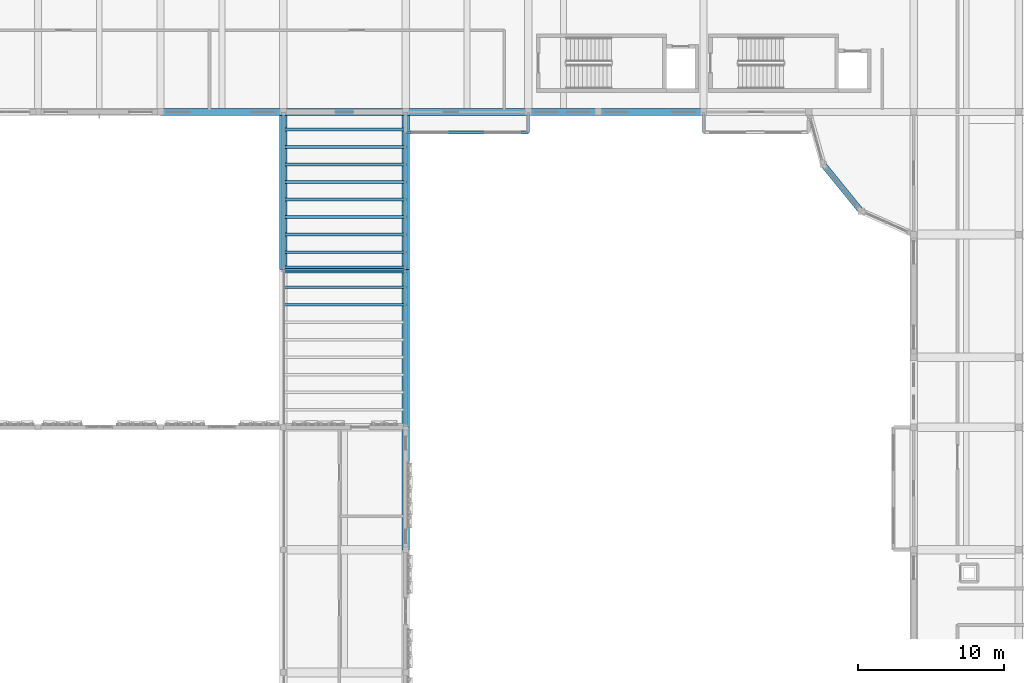
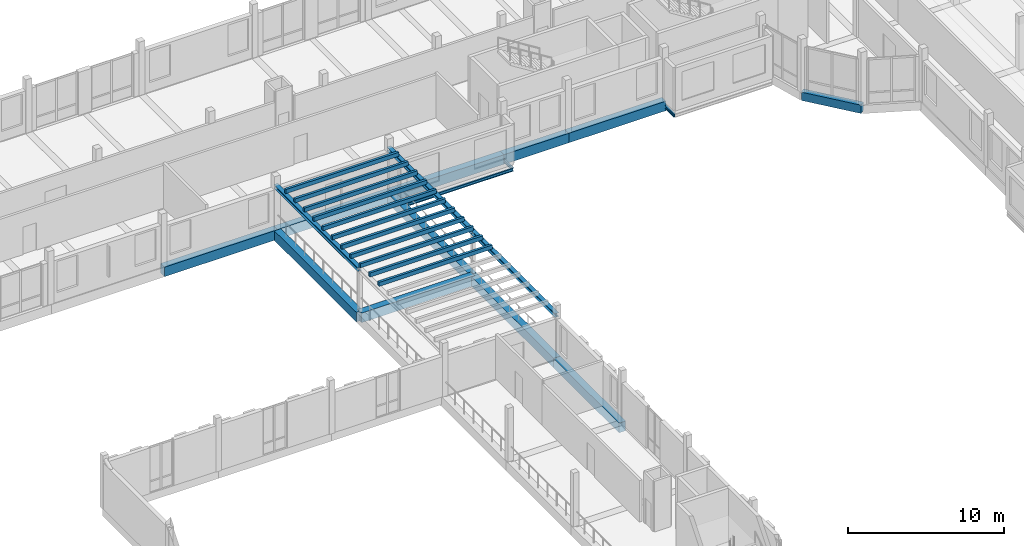
# One storey, part 33 of 99: 17 beams, 11 members.
"""IFC4 building model written with IfcOpenShell, lengths in metres."""

from ifc_helpers import new_model, si_unit, direction, frame, origin, origin_2d, place, context, subcontext, project, spatial, rectangle, i_section, extrude, material, material_profile, profile_set, type_object, element, save


model = new_model("IFC4")

# Units and contexts
model_context = context("Model", 3, precision=1e-05, world=origin(), true_north=direction((0.0, 1.0)))
body_context = subcontext(model_context, "Body", "Model", "MODEL_VIEW")
ifc_project = project(units=[si_unit("LENGTHUNIT", "METRE"), si_unit("AREAUNIT", "SQUARE_METRE"), si_unit("VOLUMEUNIT", "CUBIC_METRE"), si_unit("PLANEANGLEUNIT", "RADIAN"), si_unit("MASSUNIT", "GRAM", prefix="KILO")], contexts=[model_context])

# Site, building, storey
site_placement = place(None, origin())
site = spatial("IfcSite", under=ifc_project, at=site_placement, CompositionType="ELEMENT")
building_placement = place(site_placement, origin())
building = spatial("IfcBuilding", under=site, at=building_placement, Name="Kahlenmark Community Centre", CompositionType="ELEMENT")
storey_placement = place(building_placement, frame((0.0, 0.0, 5.39990234375)))
storey = spatial("IfcBuildingStorey", under=building, at=storey_placement, Name="L01", CompositionType="ELEMENT", Elevation=5.39990234375)

# Beams
ifc_material_1 = material(Name="Steel S355", Category="steel")
ifc_material_profile_1 = material_profile(ifc_material_1, i_section(OverallWidth=0.1201171875, OverallDepth=0.239990234375, WebThickness=0.006103515625, FlangeThickness=0.009765625, at=origin_2d()), Name="IPE 240")
ifc_profile_set_1 = profile_set([ifc_material_profile_1], Name="Steel S355")
beam_type_1 = type_object("IfcBeamType", Name="BT-BEAM-IPE240", PredefinedType="BEAM", material=ifc_profile_set_1)
for number, where, z_axis, x_axis, name in (
    (1, (46.0, 96.199951171875, -0.43994140625), (0.0, 1.0, 0.0), (-1.0, 0.0, 0.0), "L01 beam BG-IPE240"),
    (2, (58.0, 96.199951171875, -0.43994140625), (0.0, 1.0, 0.0), (-1.0, 0.0, 0.0), "L01 beam BG-IPE240"),
):
    element("IfcBeam", number, at=place(storey_placement, frame(where, z_axis=z_axis, x_axis=x_axis)), inside=storey, type_object=beam_type_1, Name=name, PredefinedType="BEAM", context=body_context, shape_type="SweptSolid", body=[
        extrude(i_section(OverallWidth=0.1201171875, OverallDepth=0.239990234375, WebThickness=0.006103515625, FlangeThickness=0.009765625, at=origin_2d()), origin(), (0.0, 0.0, 1.0), 1.400146484375),
    ])
ifc_material_profile_2 = material_profile(ifc_material_1, i_section(OverallWidth=0.300048828125, OverallDepth=0.2900390625, WebThickness=0.008544921875, FlangeThickness=0.013916015625, at=origin_2d()), Name="HEA 300")
ifc_profile_set_2 = profile_set([ifc_material_profile_2], Name="Steel S355")
beam_type_2 = type_object("IfcBeamType", Name="BT-SPANDREL-HEA300", PredefinedType="SPANDREL", material=ifc_profile_set_2)
for number, where, z_axis, x_axis, name in (
    (3, (37.60009765625, 76.0, 3.30517578125), (0.0, 1.0, 0.0), (-1.0, 0.0, 0.0), "L01 spandrel SP-PRG300"),
    (4, (29.199951171875, 86.800048828125, 3.30517578125), (0.0, 1.0, 0.0), (-1.0, 0.0, 0.0), "L01 spandrel SP-PRG300"),
    (5, (37.60009765625, 86.800048828125, 3.30517578125), (0.0, 1.0, 0.0), (-1.0, 0.0, 0.0), "L01 spandrel SP-PRG300"),
):
    element("IfcBeam", number, at=place(storey_placement, frame(where, z_axis=z_axis, x_axis=x_axis)), inside=storey, type_object=beam_type_2, Name=name, PredefinedType="SPANDREL", context=body_context, shape_type="SweptSolid", body=[
        extrude(i_section(OverallWidth=0.300048828125, OverallDepth=0.2900390625, WebThickness=0.008544921875, FlangeThickness=0.013916015625, at=origin_2d()), origin(), (0.0, 0.0, 1.0), 10.800048828125),
    ])
ifc_material_profile_3 = material_profile(ifc_material_1, i_section(OverallWidth=0.1201171875, OverallDepth=0.239990234375, WebThickness=0.006103515625, FlangeThickness=0.009765625, at=origin_2d()), Name="IPE 240")
ifc_profile_set_3 = profile_set([ifc_material_profile_3], Name="Steel S355")
beam_type_3 = type_object("IfcBeamType", Name="BT-SPANDREL-IPE240", PredefinedType="SPANDREL", material=ifc_profile_set_3)
beam_1_placement = place(storey_placement, frame((37.60009765625, 96.199951171875, -0.43994140625), z_axis=(1.0, 0.0, 0.0), x_axis=(0.0, 1.0, 0.0)))
element("IfcBeam", 6, at=beam_1_placement, inside=storey, type_object=beam_type_3, Name="L01 spandrel SP-IPE240", PredefinedType="SPANDREL", context=body_context, shape_type="SweptSolid", body=[
    extrude(i_section(OverallWidth=0.1201171875, OverallDepth=0.239990234375, WebThickness=0.006103515625, FlangeThickness=0.009765625, at=origin_2d()), origin(), (0.0, 0.0, 1.0), 8.39990234375),
])
ifc_material_2 = material(Name="Concrete C35/45", Category="concrete")
ifc_material_profile_4 = material_profile(ifc_material_2, rectangle(XDim=0.39990234375, YDim=0.64990234375, at=origin_2d()), Name="RC 400x650")
ifc_profile_set_4 = profile_set([ifc_material_profile_4], Name="Concrete C35/45")
beam_type_4 = type_object("IfcBeamType", Name="BT-SPANDREL-RC400x650", PredefinedType="SPANDREL", material=ifc_profile_set_4)
beam_2_placement = place(storey_placement, frame((66.199951171875, 94.0, -0.324951171875), z_axis=(0.630612687458, -0.776097699015, 0.0), x_axis=(0.776097699015, 0.630612687458, 0.0)))
element("IfcBeam", 7, at=beam_2_placement, inside=storey, type_object=beam_type_4, Name="L01 spandrel SP-RC400x650", PredefinedType="SPANDREL", context=body_context, shape_type="SweptSolid", body=[
    extrude(rectangle(XDim=0.39990234375, YDim=0.64990234375, at=origin_2d()), origin(), (0.0, 0.0, 1.0), 4.123046875),
])
ifc_material_profile_5 = material_profile(ifc_material_2, rectangle(XDim=0.5, YDim=0.75, at=origin_2d()), Name="RC 500x750")
ifc_profile_set_5 = profile_set([ifc_material_profile_5], Name="Concrete C35/45")
beam_type_5 = type_object("IfcBeamType", Name="BT-SPANDREL-RC500x750", PredefinedType="SPANDREL", material=ifc_profile_set_5)
for number, where, z_axis, x_axis, name in (
    (8, (37.60009765625, 67.60009765625, -0.375), (0.0, 1.0, 0.0), (-1.0, 0.0, 0.0), "L01 spandrel SP-RC500x750"),
    (9, (20.800048828125, 97.60009765625, -0.375), (1.0, 0.0, 0.0), (0.0, 1.0, 0.0), "L01 spandrel SP-RC500x750"),
):
    element("IfcBeam", number, at=place(storey_placement, frame(where, z_axis=z_axis, x_axis=x_axis)), inside=storey, type_object=beam_type_5, Name=name, PredefinedType="SPANDREL", context=body_context, shape_type="SweptSolid", body=[
        extrude(rectangle(XDim=0.5, YDim=0.75, at=origin_2d()), origin(), (0.0, 0.0, 1.0), 8.39990234375),
    ])
beam_3_placement = place(storey_placement, frame((29.199951171875, 97.60009765625, -0.375), z_axis=(1.0, 0.0, 0.0), x_axis=(0.0, 1.0, 0.0)))
element("IfcBeam", 10, at=beam_3_placement, inside=storey, type_object=beam_type_5, Name="L01 spandrel SP-RC500x750", PredefinedType="SPANDREL", context=body_context, shape_type="SweptSolid", body=[
    extrude(rectangle(XDim=0.5, YDim=0.75, at=origin_2d()), origin(), (0.0, 0.0, 1.0), 8.400146484375),
])
beam_4_placement = place(storey_placement, frame((37.60009765625, 97.60009765625, -0.375), z_axis=(1.0, 0.0, 0.0), x_axis=(0.0, 1.0, 0.0)))
element("IfcBeam", 11, at=beam_4_placement, inside=storey, type_object=beam_type_5, Name="L01 spandrel SP-RC500x750", PredefinedType="SPANDREL", context=body_context, shape_type="SweptSolid", body=[
    extrude(rectangle(XDim=0.5, YDim=0.75, at=origin_2d()), origin(), (0.0, 0.0, 1.0), 8.39990234375),
])
beam_5_placement = place(storey_placement, frame((46.0, 97.60009765625, -0.375), z_axis=(1.0, 0.0, 0.0), x_axis=(0.0, 1.0, 0.0)))
element("IfcBeam", 12, at=beam_5_placement, inside=storey, type_object=beam_type_5, Name="L01 spandrel SP-RC500x750", PredefinedType="SPANDREL", context=body_context, shape_type="SweptSolid", body=[
    extrude(rectangle(XDim=0.5, YDim=0.75, at=origin_2d()), origin(), (0.0, 0.0, 1.0), 4.800048828125),
])
beam_6_placement = place(storey_placement, frame((50.800048828125, 97.60009765625, -0.375), z_axis=(1.0, 0.0, 0.0), x_axis=(0.0, 1.0, 0.0)))
element("IfcBeam", 13, at=beam_6_placement, inside=storey, type_object=beam_type_5, Name="L01 spandrel SP-RC500x750", PredefinedType="SPANDREL", context=body_context, shape_type="SweptSolid", body=[
    extrude(rectangle(XDim=0.5, YDim=0.75, at=origin_2d()), origin(), (0.0, 0.0, 1.0), 7.199951171875),
])
for number, where, z_axis, x_axis, name in (
    (14, (29.199951171875, 86.800048828125, -0.375), (0.0, 1.0, 0.0), (-1.0, 0.0, 0.0), "L01 spandrel SP-RC500x750"),
    (15, (37.60009765625, 76.0, -0.375), (0.0, 1.0, 0.0), (-1.0, 0.0, 0.0), "L01 spandrel SP-RC500x750"),
    (16, (37.60009765625, 86.800048828125, -0.375), (0.0, 1.0, 0.0), (-1.0, 0.0, 0.0), "L01 spandrel SP-RC500x750"),
):
    element("IfcBeam", number, at=place(storey_placement, frame(where, z_axis=z_axis, x_axis=x_axis)), inside=storey, type_object=beam_type_5, Name=name, PredefinedType="SPANDREL", context=body_context, shape_type="SweptSolid", body=[
        extrude(rectangle(XDim=0.5, YDim=0.75, at=origin_2d()), origin(), (0.0, 0.0, 1.0), 10.800048828125),
    ])
beam_7_placement = place(storey_placement, frame((29.199951171875, 86.800048828125, -0.375), z_axis=(1.0, 0.0, 0.0), x_axis=(0.0, 1.0, 0.0)))
element("IfcBeam", 17, at=beam_7_placement, inside=storey, type_object=beam_type_5, Name="L01 spandrel SP-RC500x750", PredefinedType="SPANDREL", context=body_context, shape_type="SweptSolid", body=[
    extrude(rectangle(XDim=0.5, YDim=0.75, at=origin_2d()), origin(), (0.0, 0.0, 1.0), 8.400146484375),
])

# Members
ifc_material_3 = material(Name="Glulam GL28h", Category="wood")
ifc_material_profile_6 = material_profile(ifc_material_3, rectangle(XDim=0.179931640625, YDim=0.320068359375, at=origin_2d()), Name="GL28h 180x320")
ifc_profile_set_6 = profile_set([ifc_material_profile_6], Name="Glulam GL28h")
member_type = type_object("IfcMemberType", Name="MT-RAFTER-GL28h180x320", PredefinedType="RAFTER", material=ifc_profile_set_6)
for number, where, z_axis, x_axis, name in (
    (18, (29.199951171875, 84.39990234375, 3.610107421875), (1.0, 0.0, 0.0), (0.0, 1.0, 0.0), "L01 rafter PRG-RAF"),
    (19, (29.199951171875, 85.60009765625, 3.610107421875), (1.0, 0.0, 0.0), (0.0, 1.0, 0.0), "L01 rafter PRG-RAF"),
    (20, (29.199951171875, 86.800048828125, 3.610107421875), (1.0, 0.0, 0.0), (0.0, 1.0, 0.0), "L01 rafter PRG-RAF"),
    (21, (29.199951171875, 88.0, 3.610107421875), (1.0, 0.0, 0.0), (0.0, 1.0, 0.0), "L01 rafter PRG-RAF"),
    (22, (29.199951171875, 89.199951171875, 3.610107421875), (1.0, 0.0, 0.0), (0.0, 1.0, 0.0), "L01 rafter PRG-RAF"),
    (23, (29.199951171875, 90.39990234375, 3.610107421875), (1.0, 0.0, 0.0), (0.0, 1.0, 0.0), "L01 rafter PRG-RAF"),
    (24, (29.199951171875, 91.60009765625, 3.610107421875), (1.0, 0.0, 0.0), (0.0, 1.0, 0.0), "L01 rafter PRG-RAF"),
    (25, (29.199951171875, 92.800048828125, 3.610107421875), (1.0, 0.0, 0.0), (0.0, 1.0, 0.0), "L01 rafter PRG-RAF"),
    (26, (29.199951171875, 94.0, 3.610107421875), (1.0, 0.0, 0.0), (0.0, 1.0, 0.0), "L01 rafter PRG-RAF"),
    (27, (29.199951171875, 95.199951171875, 3.610107421875), (1.0, 0.0, 0.0), (0.0, 1.0, 0.0), "L01 rafter PRG-RAF"),
    (28, (29.199951171875, 96.39990234375, 3.610107421875), (1.0, 0.0, 0.0), (0.0, 1.0, 0.0), "L01 rafter PRG-RAF"),
):
    element("IfcMember", number, at=place(storey_placement, frame(where, z_axis=z_axis, x_axis=x_axis)), inside=storey, type_object=member_type, Name=name, PredefinedType="RAFTER", context=body_context, shape_type="SweptSolid", body=[
        extrude(rectangle(XDim=0.179931640625, YDim=0.320068359375, at=origin_2d()), origin(), (0.0, 0.0, 1.0), 8.400146484375),
    ])

save(model, "model.ifc")
